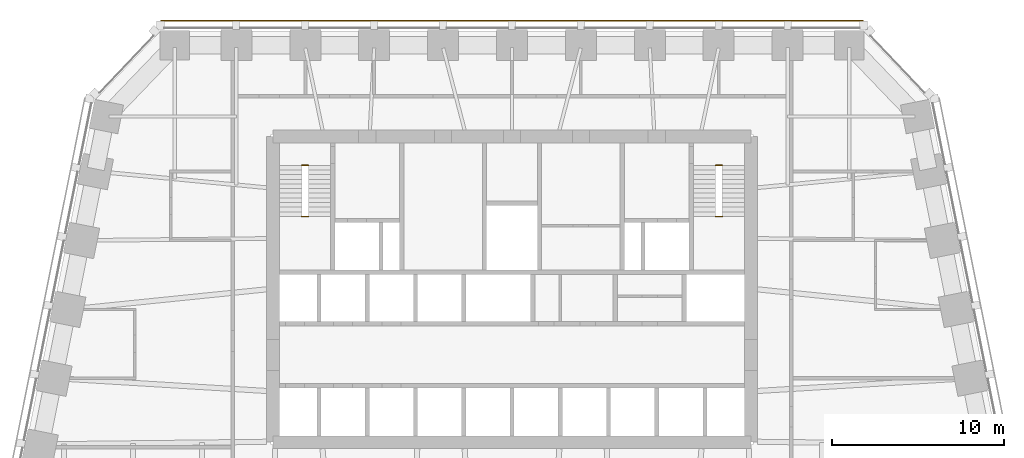
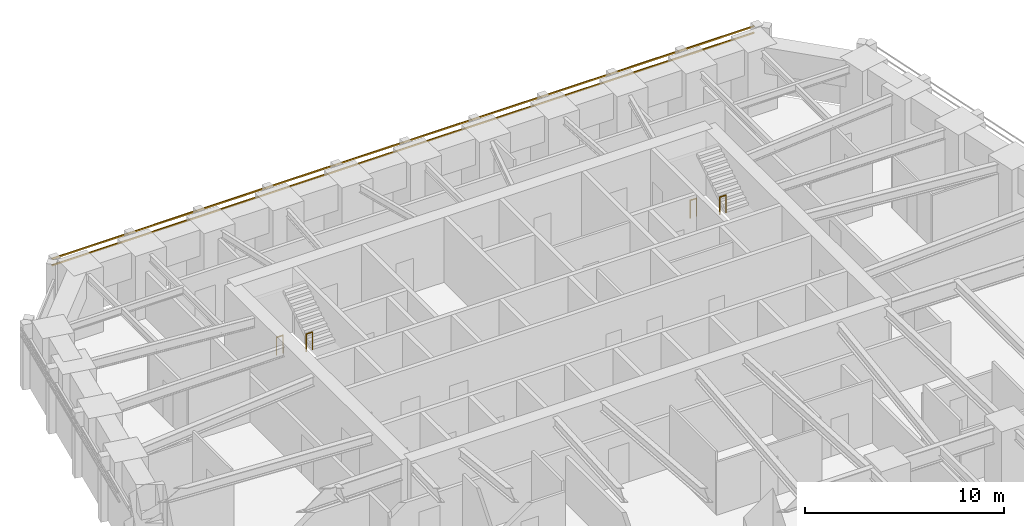
# One storey, part 10 of 10: 4 railings, 2 shading devices.
"""IFC4 building model written with IfcOpenShell, lengths in metres."""

from ifc_helpers import new_model, si_unit, direction, frame, origin, origin_2d, place, context, subcontext, project, spatial, rectangle, circle, extrude, material, material_profile, profile_set, type_object, element, save


model = new_model("IFC4")

# Units and contexts
model_context = context("Model", 3, precision=1e-05, world=origin(), true_north=direction((0.0, 1.0)))
body_context = subcontext(model_context, "Body", "Model", "MODEL_VIEW")
ifc_project = project(units=[si_unit("LENGTHUNIT", "METRE"), si_unit("AREAUNIT", "SQUARE_METRE"), si_unit("VOLUMEUNIT", "CUBIC_METRE"), si_unit("PLANEANGLEUNIT", "RADIAN"), si_unit("MASSUNIT", "GRAM", prefix="KILO")], contexts=[model_context])

# Site, building, storey
site_placement = place(None, origin())
site = spatial("IfcSite", under=ifc_project, at=site_placement, CompositionType="ELEMENT")
building_placement = place(site_placement, origin())
building = spatial("IfcBuilding", under=site, at=building_placement, Name="Isbrekke Arena Tower", CompositionType="ELEMENT")
storey_placement = place(building_placement, frame((0.0, 0.0, 155.0)))
storey = spatial("IfcBuildingStorey", under=building, at=storey_placement, Name="L35", CompositionType="ELEMENT", Elevation=155.0)

# Shading devices
ifc_material_1 = material(Name="Terracotta", Category="masonry")
ifc_material_profile = material_profile(ifc_material_1, rectangle(XDim=0.06005859375, YDim=0.06005859375, at=origin_2d()), Name="BAGUETTE 60X60")
ifc_profile_set = profile_set([ifc_material_profile], Name="Terracotta")
shading_device_type = type_object("IfcShadingDeviceType", Name="BG1 TERRACOTTA BAGUETTE 60 x 60", PredefinedType="USERDEFINED", material=ifc_profile_set)
for number, where, z_axis, x_axis, name in (
    (1, (20.39990234375, 30.60498046875, 3.280029296875), (-1.0, 0.0, 0.0), (0.0, -1.0, 0.0), "BG1 terracotta baguette N1 L35"),
    (2, (20.39990234375, 30.60498046875, 3.679931640625), (-1.0, 0.0, 0.0), (0.0, -1.0, 0.0), "BG1 terracotta baguette N2 L35"),
):
    element("IfcShadingDevice", number, at=place(storey_placement, frame(where, z_axis=z_axis, x_axis=x_axis)), inside=storey, type_object=shading_device_type, Name=name, ObjectType="TERRACOTTA BAGUETTE", PredefinedType="USERDEFINED", context=body_context, shape_type="SweptSolid", body=[
        extrude(rectangle(XDim=0.06005859375, YDim=0.06005859375, at=origin_2d()), origin(), (0.0, 0.0, 1.0), 40.7998046875),
    ])

# Railings
ifc_material_2 = material(Name="Steel stair guard, vertical bars, steel handrail", Category="steel")
railing_type = type_object("IfcRailingType", Name="GR3 STAIR WELL GUARD 1100", PredefinedType="GUARDRAIL", material=ifc_material_2)
for number, where, name in (
    (3, (-12.199951171875, 22.199951171875, 0.0), "GR3 stair well guard ST1 L35"),
    (4, (-12.199951171875, 19.22998046875, 2.0), "GR3 stair well guard ST1 L35"),
    (5, (11.824951171875, 22.199951171875, 0.0), "GR3 stair well guard ST2 L35"),
    (6, (11.824951171875, 19.22998046875, 2.0), "GR3 stair well guard ST2 L35"),
):
    element("IfcRailing", number, at=place(storey_placement, frame(where)), inside=storey, type_object=railing_type, Name=name, PredefinedType="GUARDRAIL", context=body_context, shape_type="SweptSolid", body=[
        extrude(circle(Radius=0.02392578125, at=origin_2d()), frame((0.0, 0.0, 1.076171875), z_axis=(1.0, 0.0, 0.0), x_axis=(0.0, 1.0, 0.0)), (0.0, 0.0, 1.0), 0.375),
        extrude(circle(Radius=0.02099609375, at=origin_2d()), origin(), (0.0, 0.0, 1.0), 1.052001953125),
        extrude(circle(Radius=0.02099609375, at=origin_2d()), frame((0.375, 0.0, 0.0)), (0.0, 0.0, 1.0), 1.052001953125),
    ])

save(model, "model.ifc")
